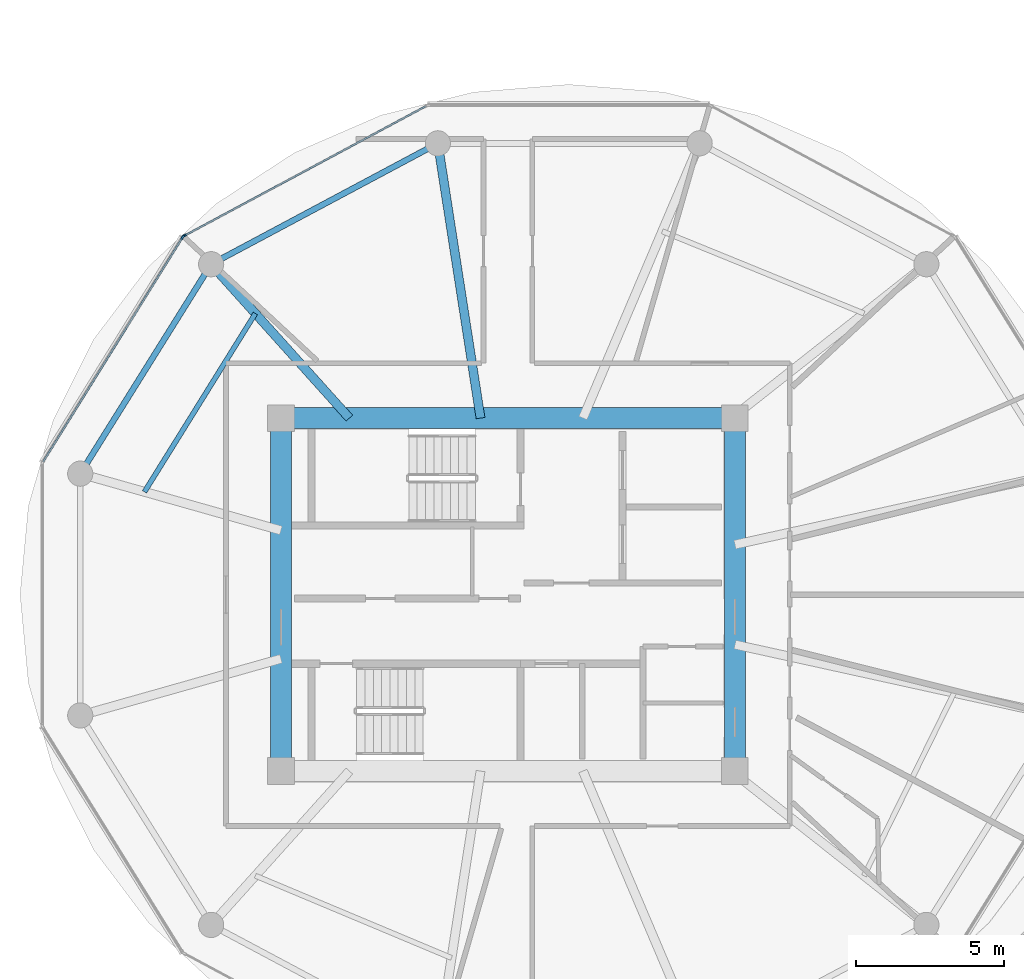
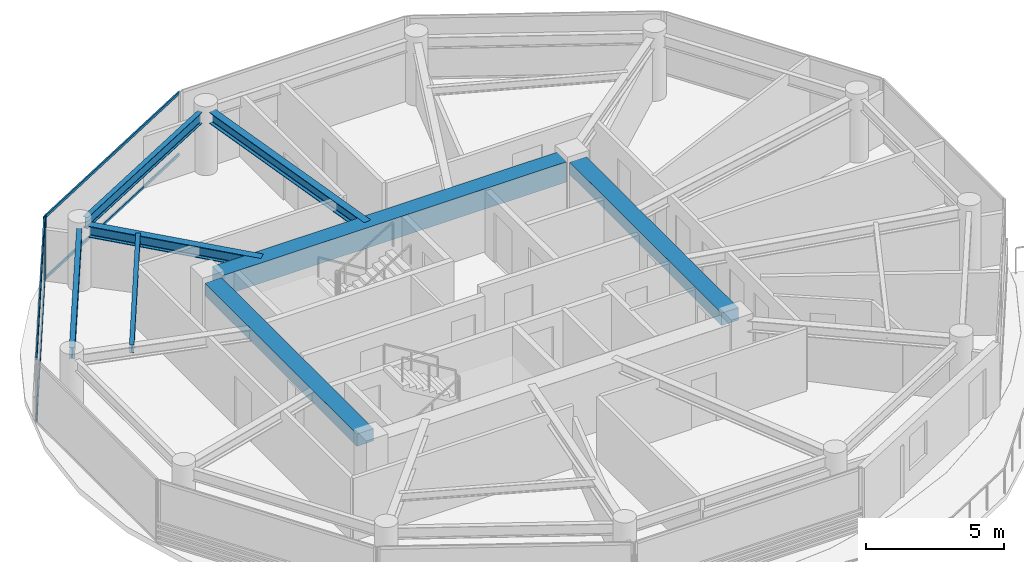
# One storey, part 4 of 24: 8 beams, 6 members, 2 elements without a shape of their own.
"""IFC4 building model written with IfcOpenShell, lengths in metres."""

from ifc_helpers import new_model, si_unit, direction, frame, origin, origin_2d, place, context, subcontext, project, spatial, rectangle, i_section, extrude, source, transform, mapped, material, layer, layer_set, material_profile, profile_set, type_object, type_shapes, element, aggregate, save


model = new_model("IFC4")

# Units and contexts
model_context = context("Model", 3, precision=1e-05, world=origin(), true_north=direction((0.0, 1.0)))
body_context = subcontext(model_context, "Body", "Model", "MODEL_VIEW")
ifc_project = project(units=[si_unit("LENGTHUNIT", "METRE"), si_unit("AREAUNIT", "SQUARE_METRE"), si_unit("VOLUMEUNIT", "CUBIC_METRE"), si_unit("PLANEANGLEUNIT", "RADIAN"), si_unit("MASSUNIT", "GRAM", prefix="KILO")], contexts=[model_context])

# Site, building, storey
site_placement = place(None, origin())
site = spatial("IfcSite", under=ifc_project, at=site_placement, CompositionType="ELEMENT")
building_placement = place(site_placement, origin())
building = spatial("IfcBuilding", under=site, at=building_placement, Name="Norrkilde Senior Care Towers", CompositionType="ELEMENT")
storey_placement = place(building_placement, frame((0.0, 0.0, 111.5)))
storey = spatial("IfcBuildingStorey", under=building, at=storey_placement, Name="L34", CompositionType="ELEMENT", Elevation=111.5)

# Beams
ifc_material_1 = material(Name="Concrete C60/75", Category="concrete")
ifc_material_profile_1 = material_profile(ifc_material_1, rectangle(XDim=0.699951171875, YDim=0.89990234375, at=origin_2d()), Name="RC BM 700x900")
ifc_profile_set_1 = profile_set([ifc_material_profile_1], Name="Concrete C60/75")
beam_type_1 = type_object("IfcBeamType", Name="Core Coupling Girder 700x900", PredefinedType="USERDEFINED", material=ifc_profile_set_1)
shared_shape_1 = source(origin(), body_context, "Body", "SweptSolid", [
    extrude(rectangle(XDim=0.699951171875, YDim=0.89990234375, at=origin_2d()), origin(), (0.0, 0.0, 1.0), 14.43994140625),
])
type_shapes(beam_type_1, [shared_shape_1])
beam_1_placement = place(storey_placement, frame((-35.219970703125, 5.949951171875, 2.340087890625), z_axis=(1.0, 0.0, 0.0), x_axis=(0.0, 1.0, 0.0)))
element("IfcBeam", 1, at=beam_1_placement, inside=storey, type_object=beam_type_1, Name="L34 Core W N Coupling Girder", ObjectType="GIRDER", PredefinedType="USERDEFINED", context=body_context, shape_type="MappedRepresentation", body=[
    mapped(shared_shape_1, transform((0.0, 0.0, 0.0), x_axis=(1.0, 0.0, 0.0), y_axis=(0.0, 1.0, 0.0), z_axis=(0.0, 0.0, 1.0), scale=1.0)),
])
ifc_material_profile_2 = material_profile(ifc_material_1, rectangle(XDim=0.699951171875, YDim=0.550048828125, at=origin_2d()), Name="RC BM 700x550")
ifc_profile_set_2 = profile_set([ifc_material_profile_2], Name="Concrete C60/75")
beam_type_2 = type_object("IfcBeamType", Name="Core Portal Coupling Beam 700x550", PredefinedType="USERDEFINED", material=ifc_profile_set_2)
shared_shape_2 = source(origin(), body_context, "Body", "SweptSolid", [
    extrude(rectangle(XDim=0.699951171875, YDim=0.550048828125, at=origin_2d()), origin(), (0.0, 0.0, 1.0), 11.0400390625),
])
type_shapes(beam_type_2, [shared_shape_2])
for number, where, z_axis, x_axis, name in (
    (2, (-35.64990234375, -5.52001953125, 2.514892578125), (0.0, 1.0, 0.0), (-1.0, 0.0, 0.0), "L34 Core W W Coupling Girder"),
    (3, (-20.35009765625, -5.52001953125, 2.514892578125), (0.0, 1.0, 0.0), (-1.0, 0.0, 0.0), "L34 Core W E Coupling Girder"),
):
    element("IfcBeam", number, at=place(storey_placement, frame(where, z_axis=z_axis, x_axis=x_axis)), inside=storey, type_object=beam_type_2, Name=name, ObjectType="GIRDER", PredefinedType="USERDEFINED", context=body_context, shape_type="MappedRepresentation", body=[
        mapped(shared_shape_2, transform((0.0, 0.0, 0.0), x_axis=(1.0, 0.0, 0.0), y_axis=(0.0, 1.0, 0.0), z_axis=(0.0, 0.0, 1.0), scale=1.0)),
    ])
ifc_material_2 = material(Name="Steel S355", Category="steel")
ifc_material_profile_3 = material_profile(ifc_material_2, i_section(OverallWidth=0.199951171875, OverallDepth=0.5, WebThickness=0.01025390625, FlangeThickness=0.01611328125, FilletRadius=0.02099609375, at=origin_2d()), Name="IPE 500")
ifc_profile_set_3 = profile_set([ifc_material_profile_3], Name="Steel S355")
beam_type_3 = type_object("IfcBeamType", Name="Perimeter Ring Spandrel Z2 IPE500", PredefinedType="SPANDREL", material=ifc_profile_set_3)
shared_shape_3 = source(origin(), body_context, "Body", "SweptSolid", [
    extrude(i_section(OverallWidth=0.199951171875, OverallDepth=0.5, WebThickness=0.01025390625, FlangeThickness=0.01611328125, FilletRadius=0.02099609375, at=origin_2d()), origin(), (0.0, 0.0, 1.0), 7.892333984375),
])
beam_2_placement = place(storey_placement, frame((-30.70263671875, 15.0322265625, 2.5400390625), z_axis=(-0.882350372282, -0.47059305194, 0.0), x_axis=(0.47059305194, -0.882350372282, 0.0)))
element("IfcBeam", 4, at=beam_2_placement, inside=storey, type_object=beam_type_3, Name="L34 Drum W Perimeter Spandrel 04", PredefinedType="SPANDREL", context=body_context, shape_type="MappedRepresentation", body=[
    mapped(shared_shape_3, transform((0.0, 0.0, 0.0), x_axis=(1.0, 0.0, 0.0), y_axis=(0.0, 1.0, 0.0), z_axis=(0.0, 0.0, 1.0), scale=1.0)),
])
ifc_material_profile_4 = material_profile(ifc_material_2, i_section(OverallWidth=0.300048828125, OverallDepth=0.5, WebThickness=0.014404296875, FlangeThickness=0.028076171875, FilletRadius=0.027099609375, at=origin_2d()), Name="HEB 500")
ifc_profile_set_4 = profile_set([ifc_material_profile_4], Name="Steel S355")
beam_type_4 = type_object("IfcBeamType", Name="Radial Floor Beam Z2 HEB500", PredefinedType="BEAM", material=ifc_profile_set_4)
shared_shape_4 = source(origin(), body_context, "Body", "SweptSolid", [
    extrude(i_section(OverallWidth=0.300048828125, OverallDepth=0.5, WebThickness=0.014404296875, FlangeThickness=0.028076171875, FilletRadius=0.027099609375, at=origin_2d()), origin(), (0.0, 0.0, 1.0), 8.989501953125),
])
beam_3_placement = place(storey_placement, frame((-28.924072265625, 5.949951171875, 2.5400390625), z_axis=(-0.153471298636, 0.988153105796, 0.0), x_axis=(-0.988153105796, -0.153471298636, 0.0)))
element("IfcBeam", 5, at=beam_3_placement, inside=storey, type_object=beam_type_4, Name="L34 Drum W Radial Floor Beam 04", PredefinedType="BEAM", context=body_context, shape_type="MappedRepresentation", body=[
    mapped(shared_shape_4, transform((0.0, 0.0, 0.0), x_axis=(1.0, 0.0, 0.0), y_axis=(0.0, 1.0, 0.0), z_axis=(0.0, 0.0, 1.0), scale=1.0)),
])
shared_shape_5 = source(origin(), body_context, "Body", "SweptSolid", [
    extrude(i_section(OverallWidth=0.199951171875, OverallDepth=0.5, WebThickness=0.01025390625, FlangeThickness=0.01611328125, FilletRadius=0.02099609375, at=origin_2d()), origin(), (0.0, 0.0, 1.0), 7.556396484375),
])
type_shapes(beam_type_3, [shared_shape_3, shared_shape_5])
beam_4_placement = place(storey_placement, frame((-38.210205078125, 10.810546875, 2.5400390625), z_axis=(-0.530004748437, -0.847994673706, 0.0), x_axis=(0.847994673706, -0.530004748437, 0.0)))
element("IfcBeam", 6, at=beam_4_placement, inside=storey, type_object=beam_type_3, Name="L34 Drum W Perimeter Spandrel 05", PredefinedType="SPANDREL", context=body_context, shape_type="MappedRepresentation", body=[
    mapped(shared_shape_5, transform((0.0, 0.0, 0.0), x_axis=(1.0, 0.0, 0.0), y_axis=(0.0, 1.0, 0.0), z_axis=(0.0, 0.0, 1.0), scale=1.0)),
])
shared_shape_6 = source(origin(), body_context, "Body", "SweptSolid", [
    extrude(i_section(OverallWidth=0.300048828125, OverallDepth=0.5, WebThickness=0.014404296875, FlangeThickness=0.028076171875, FilletRadius=0.027099609375, at=origin_2d()), origin(), (0.0, 0.0, 1.0), 6.587890625),
])
type_shapes(beam_type_4, [shared_shape_4, shared_shape_6])
beam_5_placement = place(storey_placement, frame((-33.345947265625, 5.949951171875, 2.5400390625), z_axis=(-0.668315438605, 0.743877997068, 0.0), x_axis=(-0.743877997068, -0.668315438605, 0.0)))
element("IfcBeam", 7, at=beam_5_placement, inside=storey, type_object=beam_type_4, Name="L34 Drum W Radial Floor Beam 05", PredefinedType="BEAM", context=body_context, shape_type="MappedRepresentation", body=[
    mapped(shared_shape_6, transform((0.0, 0.0, 0.0), x_axis=(1.0, 0.0, 0.0), y_axis=(0.0, 1.0, 0.0), z_axis=(0.0, 0.0, 1.0), scale=1.0)),
])
ifc_material_profile_5 = material_profile(ifc_material_2, i_section(OverallWidth=0.169921875, OverallDepth=0.360107421875, WebThickness=0.008056640625, FlangeThickness=0.0126953125, FilletRadius=0.01806640625, at=origin_2d()), Name="IPE 360")
ifc_profile_set_5 = profile_set([ifc_material_profile_5], Name="Steel S355")
beam_type_5 = type_object("IfcBeamType", Name="Secondary Floor Joist IPE360", PredefinedType="JOIST", material=ifc_profile_set_5)
shared_shape_7 = source(origin(), body_context, "Body", "SweptSolid", [
    extrude(i_section(OverallWidth=0.169921875, OverallDepth=0.360107421875, WebThickness=0.008056640625, FlangeThickness=0.0126953125, FilletRadius=0.01806640625, at=origin_2d()), origin(), (0.0, 0.0, 1.0), 7.080078125),
])
type_shapes(beam_type_5, [shared_shape_7])
beam_6_placement = place(storey_placement, frame((-36.514892578125, 9.47705078125, 2.610107421875), z_axis=(-0.527961009189, -0.849268610497, 0.0), x_axis=(0.849268610497, -0.527961009189, 0.0)))
element("IfcBeam", 8, at=beam_6_placement, inside=storey, type_object=beam_type_5, Name="L34 Drum W Secondary Floor Joist 2", PredefinedType="JOIST", context=body_context, shape_type="MappedRepresentation", body=[
    mapped(shared_shape_7, transform((0.0, 0.0, 0.0), x_axis=(1.0, 0.0, 0.0), y_axis=(0.0, 1.0, 0.0), z_axis=(0.0, 0.0, 1.0), scale=1.0)),
])

# Curtain wall, member
ifc_material_3 = material(Name="Triple Low-E Insulated Glazing", Category="glass")
ifc_layer = layer(ifc_material_3, 0.195068359375)
ifc_layer_set = layer_set([ifc_layer], Name="Triple Low-E Insulated Glazing")
curtain_wall_type = type_object("IfcCurtainWallType", Name="CW3 Zone 2 Assisted Living Curtain Wall", PredefinedType="NOTDEFINED", material=ifc_layer_set)
curtain_wall_1_placement = place(storey_placement, origin())
curtain_wall_1 = element("IfcCurtainWall", 9, at=curtain_wall_1_placement, inside=storey, type_object=curtain_wall_type, Name="L34 Drum W Curtain Wall 03", PredefinedType="NOTDEFINED")
ifc_material_4 = material(Name="Anodised Aluminium", Category="aluminium")
ifc_material_profile_6 = material_profile(ifc_material_4, rectangle(XDim=0.06494140625, YDim=0.159912109375, at=origin_2d()), Name="ALU MULL 65x160")
ifc_profile_set_6 = profile_set([ifc_material_profile_6], Name="Anodised Aluminium")
member_type_1 = type_object("IfcMemberType", Name="Curtain Wall Mullion Z1-Z2 65x160", PredefinedType="MULLION", material=ifc_profile_set_6)
shared_shape_8 = source(origin(), body_context, "Body", "SweptSolid", [
    extrude(rectangle(XDim=0.06494140625, YDim=0.159912109375, at=origin_2d()), origin(), (0.0, 0.0, 1.0), 2.7900390625),
])
type_shapes(member_type_1, [shared_shape_8])
member_1_placement = place(storey_placement, frame((-38.91796875, 12.0927734375, 0.0), z_axis=(0.0, 0.0, 1.0), x_axis=(-0.472769402511, 0.881186184668, 0.0)))
member_1 = element("IfcMember", 10, at=member_1_placement, type_object=member_type_1, Name="CW-3 mullion 1", PredefinedType="MULLION", context=body_context, shape_type="MappedRepresentation", body=[
    mapped(shared_shape_8, transform((0.0, 0.0, 0.0), x_axis=(1.0, 0.0, 0.0), y_axis=(0.0, 1.0, 0.0), z_axis=(0.0, 0.0, 1.0), scale=1.0)),
])

# Curtain wall, members
curtain_wall_2_placement = place(storey_placement, origin())
curtain_wall_2 = element("IfcCurtainWall", 11, at=curtain_wall_2_placement, inside=storey, type_object=curtain_wall_type, Name="L34 Drum W Curtain Wall 04", PredefinedType="NOTDEFINED")
member_2_placement = place(storey_placement, frame((-38.9638671875, 12.0498046875, 0.0), z_axis=(0.0, 0.0, 1.0), x_axis=(-0.849410171862, 0.527733228002, 0.0)))
member_2 = element("IfcMember", 12, at=member_2_placement, type_object=member_type_1, Name="CW-3 mullion 2", PredefinedType="MULLION", context=body_context, shape_type="MappedRepresentation", body=[
    mapped(shared_shape_8, transform((0.0, 0.0, 0.0), x_axis=(1.0, 0.0, 0.0), y_axis=(0.0, 1.0, 0.0), z_axis=(0.0, 0.0, 1.0), scale=1.0)),
])
ifc_material_profile_7 = material_profile(ifc_material_4, rectangle(XDim=0.06005859375, YDim=0.1201171875, at=origin_2d()), Name="ALU TRAN 60x120")
ifc_profile_set_7 = profile_set([ifc_material_profile_7], Name="Anodised Aluminium")
member_type_2 = type_object("IfcMemberType", Name="Curtain Wall Transom Typical 60x120", PredefinedType="USERDEFINED", material=ifc_profile_set_7)
shared_shape_9 = source(origin(), body_context, "Body", "SweptSolid", [
    extrude(rectangle(XDim=0.06005859375, YDim=0.1201171875, at=origin_2d()), origin(), (0.0, 0.0, 1.0), 8.88427734375),
])
member_3_placement = place(storey_placement, frame((-43.66943359375, 4.475830078125, 0.030029296875), z_axis=(0.527729466743, 0.849412508697, 0.0), x_axis=(-0.849412508697, 0.527729466743, 0.0)))
member_3 = element("IfcMember", 13, at=member_3_placement, type_object=member_type_2, Name="CW-3 transom 1.1", ObjectType="TRANSOM", PredefinedType="USERDEFINED", context=body_context, shape_type="MappedRepresentation", body=[
    mapped(shared_shape_9, transform((0.0, 0.0, 0.0), x_axis=(1.0, 0.0, 0.0), y_axis=(0.0, 1.0, 0.0), z_axis=(0.0, 0.0, 1.0), scale=1.0)),
])
member_4_placement = place(storey_placement, frame((-43.66943359375, 4.475830078125, 2.760009765625), z_axis=(0.527729466743, 0.849412508697, 0.0), x_axis=(-0.849412508697, 0.527729466743, 0.0)))
member_4 = element("IfcMember", 14, at=member_4_placement, type_object=member_type_2, Name="CW-3 transom 1.2", ObjectType="TRANSOM", PredefinedType="USERDEFINED", context=body_context, shape_type="MappedRepresentation", body=[
    mapped(shared_shape_9, transform((0.0, 0.0, 0.0), x_axis=(1.0, 0.0, 0.0), y_axis=(0.0, 1.0, 0.0), z_axis=(0.0, 0.0, 1.0), scale=1.0)),
])
aggregate(curtain_wall_2, [member_2, member_3, member_4])

# Member
shared_shape_10 = source(origin(), body_context, "Body", "SweptSolid", [
    extrude(rectangle(XDim=0.06005859375, YDim=0.1201171875, at=origin_2d()), origin(), (0.0, 0.0, 1.0), 9.220458984375),
])
type_shapes(member_type_2, [shared_shape_9, shared_shape_10])
member_5_placement = place(storey_placement, frame((-38.889404296875, 12.108154296875, 0.030029296875), z_axis=(0.881188517866, 0.472765053681, 0.0), x_axis=(-0.472765053681, 0.881188517866, 0.0)))
member_5 = element("IfcMember", 15, at=member_5_placement, type_object=member_type_2, Name="CW-3 transom 1.1", ObjectType="TRANSOM", PredefinedType="USERDEFINED", context=body_context, shape_type="MappedRepresentation", body=[
    mapped(shared_shape_10, transform((0.0, 0.0, 0.0), x_axis=(1.0, 0.0, 0.0), y_axis=(0.0, 1.0, 0.0), z_axis=(0.0, 0.0, 1.0), scale=1.0)),
])

member_6_placement = place(storey_placement, frame((-38.889404296875, 12.108154296875, 2.760009765625), z_axis=(0.881188517866, 0.472765053681, 0.0), x_axis=(-0.472765053681, 0.881188517866, 0.0)))
member_6 = element("IfcMember", 16, at=member_6_placement, type_object=member_type_2, Name="CW-3 transom 1.2", ObjectType="TRANSOM", PredefinedType="USERDEFINED", context=body_context, shape_type="MappedRepresentation", body=[
    mapped(shared_shape_10, transform((0.0, 0.0, 0.0), x_axis=(1.0, 0.0, 0.0), y_axis=(0.0, 1.0, 0.0), z_axis=(0.0, 0.0, 1.0), scale=1.0)),
])

aggregate(curtain_wall_1, [member_1, member_5, member_6])

save(model, "model.ifc")
